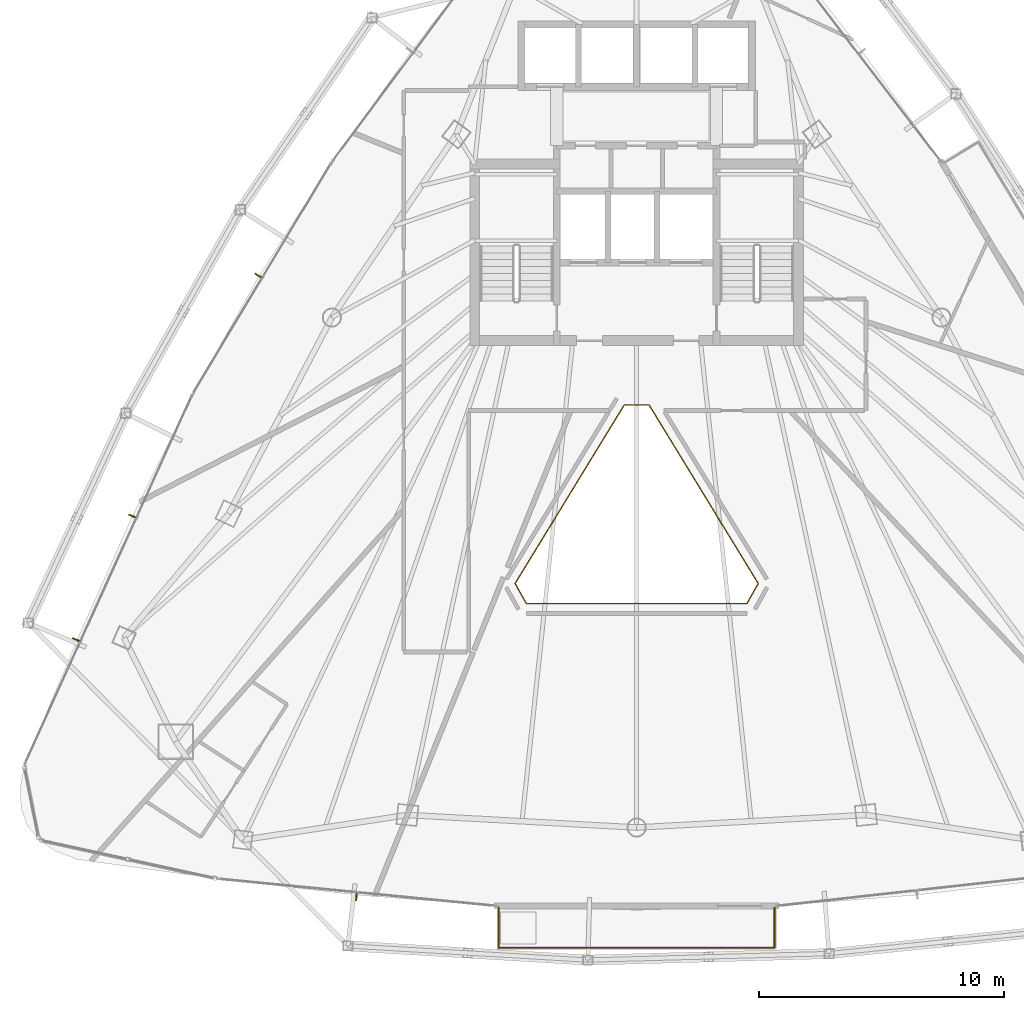
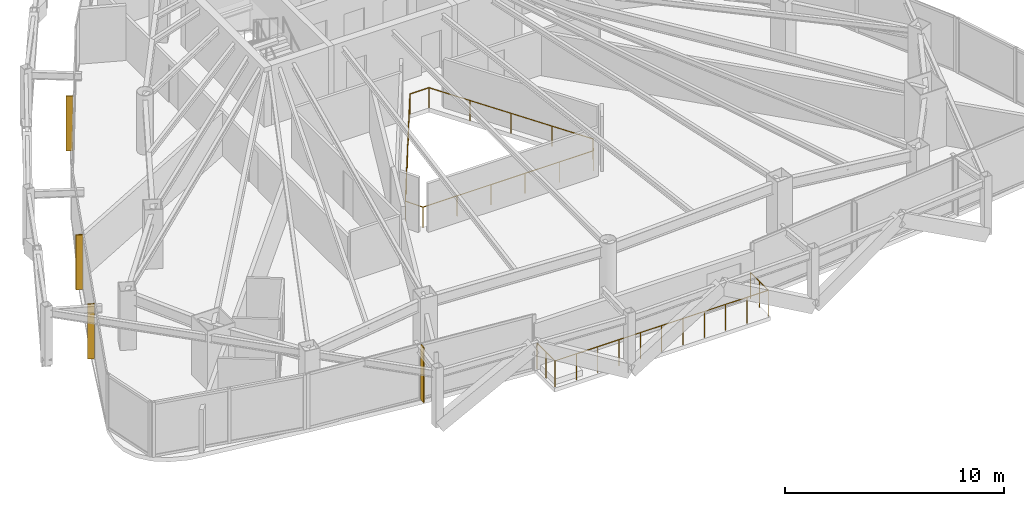
# One storey, part 29 of 31: 4 shading devices, 2 railings.
"""IFC4 building model written with IfcOpenShell, lengths in metres."""

from ifc_helpers import new_model, si_unit, direction, frame, origin, origin_2d, place, context, subcontext, project, spatial, rectangle, circle, extrude, material, layer, layer_set, type_object, element, save


model = new_model("IFC4")

# Units and contexts
model_context = context("Model", 3, precision=1e-05, world=origin(), true_north=direction((0.0, 1.0)))
body_context = subcontext(model_context, "Body", "Model", "MODEL_VIEW")
ifc_project = project(units=[si_unit("LENGTHUNIT", "METRE"), si_unit("AREAUNIT", "SQUARE_METRE"), si_unit("VOLUMEUNIT", "CUBIC_METRE"), si_unit("PLANEANGLEUNIT", "RADIAN"), si_unit("MASSUNIT", "GRAM", prefix="KILO")], contexts=[model_context])

# Site, building, storey
site_placement = place(None, origin())
site = spatial("IfcSite", under=ifc_project, at=site_placement, CompositionType="ELEMENT")
building_placement = place(site_placement, origin())
building = spatial("IfcBuilding", under=site, at=building_placement, Name="Orvanel Arch Residences", CompositionType="ELEMENT")
storey_placement = place(building_placement, frame((0.0, 0.0, 150.64990234375)))
storey = spatial("IfcBuildingStorey", under=building, at=storey_placement, Name="L42", CompositionType="ELEMENT", Elevation=150.64990234375)

# Shading devices
ifc_material = material(Name="Bronze-anodised aluminium AA6063-T6", Category="aluminium")
ifc_layer = layer(ifc_material, 0.054931640625)
ifc_layer_set = layer_set([ifc_layer], Name="Bronze-anodised aluminium AA6063-T6")
shading_device_type = type_object("IfcShadingDeviceType", Name="FIN-BRZ-320", PredefinedType="USERDEFINED", material=ifc_layer_set)
for number, where, z_axis, x_axis, name in (
    (1, (17.571044921875, 29.35302734375, 0.0), (0.0, 0.0, 1.0), (-0.857167300702, 0.51503807491, 0.0), "L42 Anodised Bronze Mullion FIN 01"),
    (2, (12.428955078125, 19.5458984375, 0.0), (0.0, 0.0, 1.0), (-0.910683660806, 0.413104429825, 0.0), "L42 Anodised Bronze Mullion FIN 01"),
    (3, (10.14111328125, 14.50390625, 0.0), (0.0, 0.0, 1.0), (-0.910683660806, 0.413104429825, 0.0), "L42 Anodised Bronze Mullion FIN 02"),
    (4, (21.572998046875, 4.010986328125, 0.0), (0.0, 0.0, 1.0), (-0.097582899759, -0.995227399982, 0.0), "L42 Anodised Bronze Mullion FIN 01"),
):
    element("IfcShadingDevice", number, at=place(storey_placement, frame(where, z_axis=z_axis, x_axis=x_axis)), inside=storey, type_object=shading_device_type, Name=name, ObjectType="FIN", PredefinedType="USERDEFINED", context=body_context, shape_type="SweptSolid", body=[
        extrude(rectangle(XDim=0.320068359375, YDim=0.054931640625, at=origin_2d()), origin(), (0.0, 0.0, 1.0), 3.06005859375),
    ])

# Railings
railing_type_1 = type_object("IfcRailingType", Name="RL-ATR-1150", PredefinedType="BALUSTRADE", material=ifc_material)
railing_1_placement = place(storey_placement, frame((33.501953125, 24.0791015625, 0.0)))
element("IfcRailing", 5, at=railing_1_placement, inside=storey, type_object=railing_type_1, Name="L42 Atrium Void Protective Balustrade", PredefinedType="BALUSTRADE", context=body_context, shape_type="SweptSolid", body=[
    extrude(circle(Radius=0.02392578125, at=origin_2d()), frame((-0.00146484375, 0.0, 1.1259765625), z_axis=(-1.0, 0.0, 0.0), x_axis=(0.0, -1.0, 0.0)), (0.0, 0.0, 1.0), 1.0009765625),
    extrude(circle(Radius=0.02392578125, at=origin_2d()), frame((-1.004638671875, -0.001220703125, 1.1259765625), z_axis=(-0.521561065456, -0.853213956168, 0.0), x_axis=(0.853213956168, -0.521561065456, 0.0)), (0.0, 0.0, 1.0), 8.533203125),
    extrude(circle(Radius=0.02392578125, at=origin_2d()), frame((-5.455322265625, -7.284423828125, 1.1259765625), z_axis=(0.489053619287, -0.8722537231, 0.0), x_axis=(0.8722537231, 0.489053619287, 0.0)), (0.0, 0.0, 1.0), 0.93798828125),
    extrude(circle(Radius=0.02392578125, at=origin_2d()), frame((-4.994384765625, -8.10400390625, 1.1259765625), z_axis=(1.0, 0.0, 0.0), x_axis=(0.0, 1.0, 0.0)), (0.0, 0.0, 1.0), 8.98388671875),
    extrude(circle(Radius=0.02392578125, at=origin_2d()), frame((3.99169921875, -8.102783203125, 1.1259765625), z_axis=(0.489842588528, 0.871810896046, 0.0), x_axis=(-0.871810896046, 0.489842588528, 0.0)), (0.0, 0.0, 1.0), 0.9384765625),
    extrude(circle(Radius=0.02392578125, at=origin_2d()), frame((4.451416015625, -7.281982421875, 1.1259765625), z_axis=(-0.521561065456, 0.853213956168, 0.0), x_axis=(-0.853213956168, -0.521561065456, 0.0)), (0.0, 0.0, 1.0), 8.533203125),
    extrude(circle(Radius=0.02099609375, at=origin_2d()), origin(), (0.0, 0.0, 1.0), 1.099853515625),
    extrude(circle(Radius=0.02099609375, at=origin_2d()), frame((-1.00390625, 0.0, 0.0)), (0.0, 0.0, 1.0), 1.099853515625),
    extrude(circle(Radius=0.02099609375, at=origin_2d()), frame((-2.116943359375, -1.82080078125, 0.0)), (0.0, 0.0, 1.0), 1.099853515625),
    extrude(circle(Radius=0.02099609375, at=origin_2d()), frame((-3.22998046875, -3.6416015625, 0.0)), (0.0, 0.0, 1.0), 1.099853515625),
    extrude(circle(Radius=0.02099609375, at=origin_2d()), frame((-4.343017578125, -5.46240234375, 0.0)), (0.0, 0.0, 1.0), 1.099853515625),
    extrude(circle(Radius=0.02099609375, at=origin_2d()), frame((-5.4560546875, -7.283203125, 0.0)), (0.0, 0.0, 1.0), 1.099853515625),
    extrude(circle(Radius=0.02099609375, at=origin_2d()), frame((-4.995849609375, -8.10400390625, 0.0)), (0.0, 0.0, 1.0), 1.099853515625),
    extrude(circle(Radius=0.02099609375, at=origin_2d()), frame((-3.198486328125, -8.10400390625, 0.0)), (0.0, 0.0, 1.0), 1.099853515625),
    extrude(circle(Radius=0.02099609375, at=origin_2d()), frame((-1.401123046875, -8.10400390625, 0.0)), (0.0, 0.0, 1.0), 1.099853515625),
    extrude(circle(Radius=0.02099609375, at=origin_2d()), frame((0.396240234375, -8.10400390625, 0.0)), (0.0, 0.0, 1.0), 1.099853515625),
    extrude(circle(Radius=0.02099609375, at=origin_2d()), frame((2.193603515625, -8.10400390625, 0.0)), (0.0, 0.0, 1.0), 1.099853515625),
    extrude(circle(Radius=0.02099609375, at=origin_2d()), frame((3.990966796875, -8.10400390625, 0.0)), (0.0, 0.0, 1.0), 1.099853515625),
    extrude(circle(Radius=0.02099609375, at=origin_2d()), frame((4.4521484375, -7.283203125, 0.0)), (0.0, 0.0, 1.0), 1.099853515625),
    extrude(circle(Radius=0.02099609375, at=origin_2d()), frame((3.339111328125, -5.46240234375, 0.0)), (0.0, 0.0, 1.0), 1.099853515625),
    extrude(circle(Radius=0.02099609375, at=origin_2d()), frame((2.22607421875, -3.6416015625, 0.0)), (0.0, 0.0, 1.0), 1.099853515625),
    extrude(circle(Radius=0.02099609375, at=origin_2d()), frame((1.113037109375, -1.82080078125, 0.0)), (0.0, 0.0, 1.0), 1.099853515625),
])
railing_type_2 = type_object("IfcRailingType", Name="RL-BAL-1480", PredefinedType="BALUSTRADE", material=ifc_material)
railing_2_placement = place(storey_placement, frame((27.3759765625, 3.5810546875, 0.0)))
element("IfcRailing", 6, at=railing_2_placement, inside=storey, type_object=railing_type_2, Name="L42 Balcony Perimeter Guardrail Face 2", PredefinedType="BALUSTRADE", context=body_context, shape_type="SweptSolid", body=[
    extrude(circle(Radius=0.02392578125, at=origin_2d()), frame((0.0, -0.00146484375, 1.4560546875), z_axis=(0.0, -1.0, 0.0), x_axis=(1.0, 0.0, 0.0)), (0.0, 0.0, 1.0), 1.63720703125),
    extrude(circle(Radius=0.02392578125, at=origin_2d()), frame((0.00146484375, -1.64013671875, 1.4560546875), z_axis=(1.0, 0.0, 0.0), x_axis=(0.0, 1.0, 0.0)), (0.0, 0.0, 1.0), 11.2451171875),
    extrude(circle(Radius=0.02392578125, at=origin_2d()), frame((11.248046875, -1.638671875, 1.4560546875), z_axis=(0.0, 1.0, 0.0), x_axis=(-1.0, 0.0, 0.0)), (0.0, 0.0, 1.0), 1.63720703125),
    extrude(circle(Radius=0.02099609375, at=origin_2d()), origin(), (0.0, 0.0, 1.0), 1.429931640625),
    extrude(circle(Radius=0.02099609375, at=origin_2d()), frame((0.0, -0.820068359375, 0.0)), (0.0, 0.0, 1.0), 1.429931640625),
    extrude(circle(Radius=0.02099609375, at=origin_2d()), frame((0.0, -1.64013671875, 0.0)), (0.0, 0.0, 1.0), 1.429931640625),
    extrude(circle(Radius=0.02099609375, at=origin_2d()), frame((1.124755859375, -1.64013671875, 0.0)), (0.0, 0.0, 1.0), 1.429931640625),
    extrude(circle(Radius=0.02099609375, at=origin_2d()), frame((2.24951171875, -1.64013671875, 0.0)), (0.0, 0.0, 1.0), 1.429931640625),
    extrude(circle(Radius=0.02099609375, at=origin_2d()), frame((3.37451171875, -1.64013671875, 0.0)), (0.0, 0.0, 1.0), 1.429931640625),
    extrude(circle(Radius=0.02099609375, at=origin_2d()), frame((4.499267578125, -1.64013671875, 0.0)), (0.0, 0.0, 1.0), 1.429931640625),
    extrude(circle(Radius=0.02099609375, at=origin_2d()), frame((5.6240234375, -1.64013671875, 0.0)), (0.0, 0.0, 1.0), 1.429931640625),
    extrude(circle(Radius=0.02099609375, at=origin_2d()), frame((6.748779296875, -1.64013671875, 0.0)), (0.0, 0.0, 1.0), 1.429931640625),
    extrude(circle(Radius=0.02099609375, at=origin_2d()), frame((7.87353515625, -1.64013671875, 0.0)), (0.0, 0.0, 1.0), 1.429931640625),
    extrude(circle(Radius=0.02099609375, at=origin_2d()), frame((8.99853515625, -1.64013671875, 0.0)), (0.0, 0.0, 1.0), 1.429931640625),
    extrude(circle(Radius=0.02099609375, at=origin_2d()), frame((10.123291015625, -1.64013671875, 0.0)), (0.0, 0.0, 1.0), 1.429931640625),
    extrude(circle(Radius=0.02099609375, at=origin_2d()), frame((11.248046875, -1.64013671875, 0.0)), (0.0, 0.0, 1.0), 1.429931640625),
    extrude(circle(Radius=0.02099609375, at=origin_2d()), frame((11.248046875, -0.820068359375, 0.0)), (0.0, 0.0, 1.0), 1.429931640625),
    extrude(circle(Radius=0.02099609375, at=origin_2d()), frame((11.248046875, 0.0, 0.0)), (0.0, 0.0, 1.0), 1.429931640625),
])

save(model, "model.ifc")
